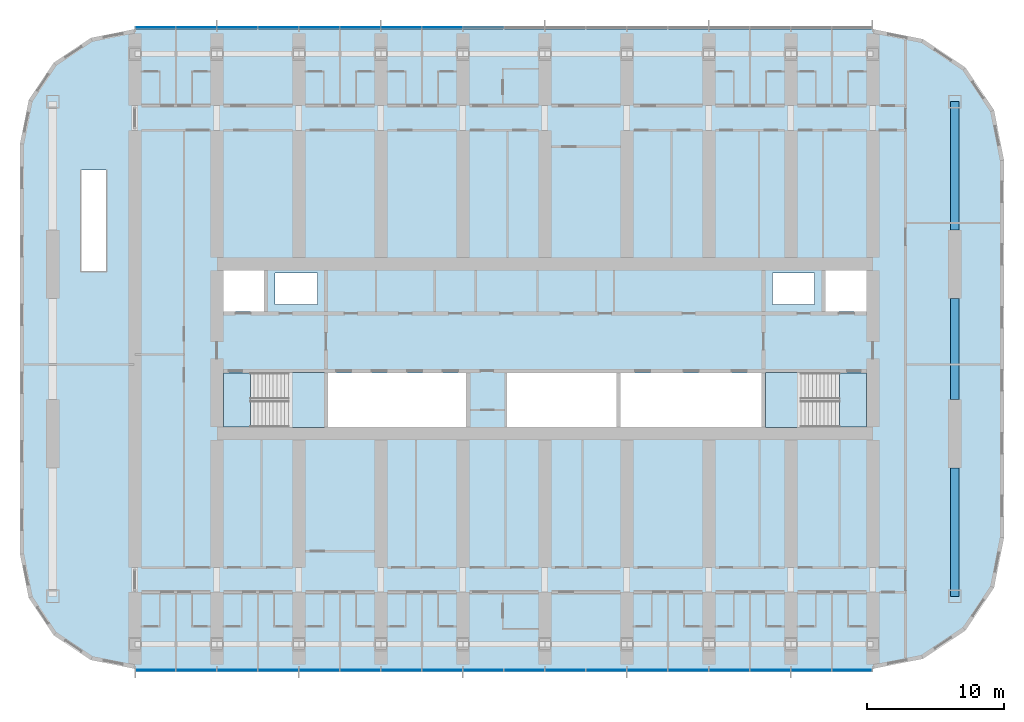
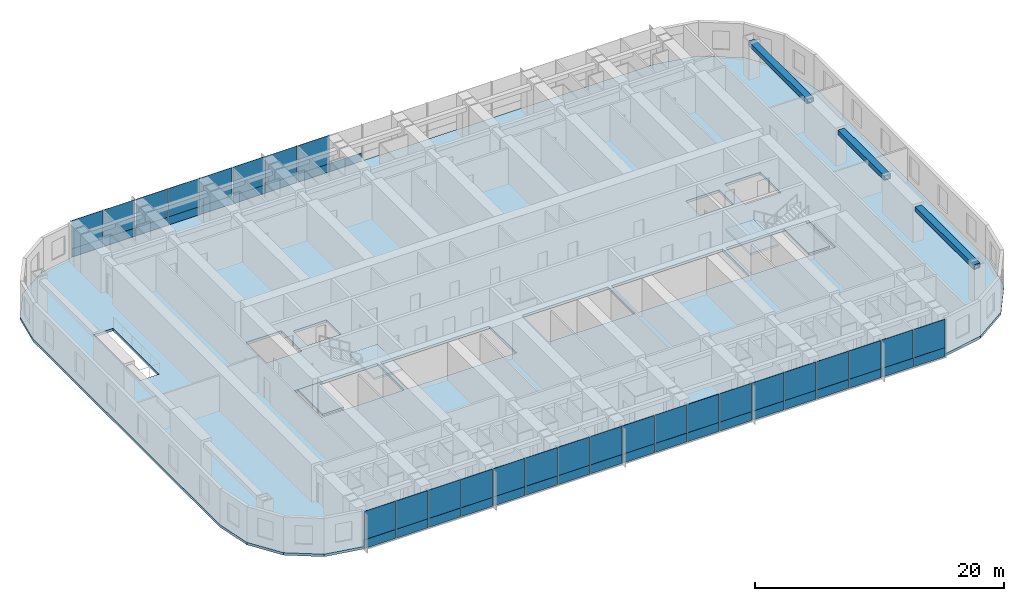
# One storey, part 6 of 21: 53 plates, 5 slabs, 3 beams, 4 elements without a shape of their own.
"""IFC4 building model written with IfcOpenShell, lengths in metres."""

from ifc_helpers import new_model, si_unit, direction, frame, origin, origin_2d, place, context, subcontext, project, spatial, polyline, rectangle, hollow_rectangle, outline, extrude, material, layer, layer_set, material_profile, profile_set, type_object, element, aggregate, save


model = new_model("IFC4")

# Units and contexts
model_context = context("Model", 3, precision=1e-05, world=origin(), true_north=direction((0.0, 1.0)))
body_context = subcontext(model_context, "Body", "Model", "MODEL_VIEW")
ifc_project = project(units=[si_unit("LENGTHUNIT", "METRE"), si_unit("AREAUNIT", "SQUARE_METRE"), si_unit("VOLUMEUNIT", "CUBIC_METRE"), si_unit("PLANEANGLEUNIT", "RADIAN"), si_unit("MASSUNIT", "GRAM", prefix="KILO")], contexts=[model_context])

# Site, building, storey
site_placement = place(None, origin())
site = spatial("IfcSite", under=ifc_project, at=site_placement, CompositionType="ELEMENT")
building_placement = place(site_placement, origin())
building = spatial("IfcBuilding", under=site, at=building_placement, Name="Orbita Commons", CompositionType="ELEMENT")
storey_placement = place(building_placement, frame((0.0, 0.0, 88.14990234375)))
storey = spatial("IfcBuildingStorey", under=building, at=storey_placement, Name="L21", CompositionType="ELEMENT", Elevation=88.14990234375)

# Beams
ifc_material_1 = material(Name="Steel ASTM A572 Gr 50 welded plate", Category="steel")
ifc_material_profile = material_profile(ifc_material_1, hollow_rectangle(XDim=0.60009765625, YDim=0.449951171875, WallThickness=0.06005859375, at=origin_2d()), Name="BOX 450x600x60")
ifc_profile_set = profile_set([ifc_material_profile], Name="Steel ASTM A572 Gr 50 welded plate")
beam_type = type_object("IfcBeamType", Name="Steel end frame link BOX 450x600x60", PredefinedType="BEAM", material=ifc_profile_set)
beam_1_placement = place(storey_placement, frame((72.0, 13.89990234375, 3.275146484375), z_axis=(0.0, 1.0, 0.0), x_axis=(-1.0, 0.0, 0.0)))
element("IfcBeam", 1, at=beam_1_placement, inside=storey, type_object=beam_type, Name="End frame beam 13 B-C L21", PredefinedType="BEAM", context=body_context, shape_type="SweptSolid", body=[
    extrude(hollow_rectangle(XDim=0.60009765625, YDim=0.449951171875, WallThickness=0.06005859375, at=origin_2d()), origin(), (0.0, 0.0, 1.0), 9.400146484375),
])
beam_2_placement = place(storey_placement, frame((72.0, 28.300048828125, 3.275146484375), z_axis=(0.0, 1.0, 0.0), x_axis=(-1.0, 0.0, 0.0)))
element("IfcBeam", 2, at=beam_2_placement, inside=storey, type_object=beam_type, Name="End frame beam 13 C-D L21", PredefinedType="BEAM", context=body_context, shape_type="SweptSolid", body=[
    extrude(hollow_rectangle(XDim=0.60009765625, YDim=0.449951171875, WallThickness=0.06005859375, at=origin_2d()), origin(), (0.0, 0.0, 1.0), 7.39990234375),
])
beam_3_placement = place(storey_placement, frame((72.0, 40.699951171875, 3.275146484375), z_axis=(0.0, 1.0, 0.0), x_axis=(-1.0, 0.0, 0.0)))
element("IfcBeam", 3, at=beam_3_placement, inside=storey, type_object=beam_type, Name="End frame beam 13 D-E L21", PredefinedType="BEAM", context=body_context, shape_type="SweptSolid", body=[
    extrude(hollow_rectangle(XDim=0.60009765625, YDim=0.449951171875, WallThickness=0.06005859375, at=origin_2d()), origin(), (0.0, 0.0, 1.0), 9.400146484375),
])

# Slab
ifc_material_2 = material(Name="Concrete C40/50", Category="concrete")
ifc_layer_1 = layer(ifc_material_2, 0.25)
ifc_layer_set_1 = layer_set([ifc_layer_1], Name="Concrete C40/50")
slab_type_1 = type_object("IfcSlabType", Name="Floor slab 250", PredefinedType="FLOOR", material=ifc_layer_set_1)
slab_1_placement = place(storey_placement, frame((0.0, 0.0, -0.25)))
element("IfcSlab", 4, at=slab_1_placement, inside=storey, type_object=slab_type_1, Name="Floor slab L21", PredefinedType="FLOOR", context=body_context, shape_type="SweptSolid", body=[
    extrude(outline(polyline([(66.0, 8.60009765625), (69.673828125, 9.330810546875), (72.788330078125, 11.411865234375), (74.869140625, 14.526123046875), (75.60009765625, 18.199951171875), (75.60009765625, 45.800048828125), (74.869140625, 49.473876953125), (72.788330078125, 52.588134765625), (69.673828125, 54.669189453125), (66.0, 55.39990234375), (12.0, 55.39990234375), (8.785400390625, 54.760498046875), (6.060302734375, 52.939697265625), (4.239501953125, 50.214599609375), (3.60009765625, 47.0), (3.60009765625, 17.0), (4.239501953125, 13.785400390625), (6.060302734375, 11.060302734375), (8.785400390625, 9.239501953125), (12.0, 8.60009765625), (66.0, 8.60009765625)]), holes=[polyline([(18.14990234375, 25.949951171875), (25.85009765625, 25.949951171875), (25.85009765625, 30.25), (18.14990234375, 30.25), (18.14990234375, 25.949951171875)]), polyline([(58.14990234375, 25.949951171875), (65.85009765625, 25.949951171875), (65.85009765625, 30.25), (58.14990234375, 30.25), (58.14990234375, 25.949951171875)]), polyline([(18.14990234375, 34.75), (21.449951171875, 34.75), (21.449951171875, 38.050048828125), (18.14990234375, 38.050048828125), (18.14990234375, 34.75)]), polyline([(62.550048828125, 34.75), (65.85009765625, 34.75), (65.85009765625, 38.050048828125), (62.550048828125, 38.050048828125), (62.550048828125, 34.75)]), polyline([(22.25, 35.25), (25.35009765625, 35.25), (25.35009765625, 37.550048828125), (22.25, 37.550048828125), (22.25, 35.25)]), polyline([(58.64990234375, 35.25), (61.75, 35.25), (61.75, 37.550048828125), (58.64990234375, 37.550048828125), (58.64990234375, 35.25)]), polyline([(26.14990234375, 25.949951171875), (36.25, 25.949951171875), (36.25, 30.25), (26.14990234375, 30.25), (26.14990234375, 25.949951171875)]), polyline([(39.25, 25.949951171875), (47.25, 25.949951171875), (47.25, 30.25), (39.25, 30.25), (39.25, 25.949951171875)]), polyline([(47.550048828125, 25.949951171875), (57.85009765625, 25.949951171875), (57.85009765625, 30.25), (47.550048828125, 30.25), (47.550048828125, 25.949951171875)]), polyline([(8.10009765625, 37.699951171875), (9.89990234375, 37.699951171875), (9.89990234375, 45.10009765625), (8.10009765625, 45.10009765625), (8.10009765625, 37.699951171875)])]), origin(), (0.0, 0.0, 1.0), 0.25),
])

# Curtain wall, plates
ifc_material_3 = material(Name="Anodised aluminium frame, pale silver", Category="aluminium")
curtain_wall_type = type_object("IfcCurtainWallType", Name="Unitised curtain wall CW-T, vision and spandrel", PredefinedType="NOTDEFINED", material=ifc_material_3)
curtain_wall_1_placement = place(storey_placement, origin())
curtain_wall_1 = element("IfcCurtainWall", 5, at=curtain_wall_1_placement, inside=storey, type_object=curtain_wall_type, Name="Curtain wall south L21", PredefinedType="NOTDEFINED")
ifc_material_4 = material(Name="Anodised aluminium sheet on mineral wool", Category="aluminium")
ifc_layer_2 = layer(ifc_material_4, 0.050048828125)
ifc_layer_set_2 = layer_set([ifc_layer_2], Name="Anodised aluminium sheet on mineral wool")
plate_type_1 = type_object("IfcPlateType", Name="Spandrel panel, pale aluminium over insulation 50", PredefinedType="CURTAIN_PANEL", material=ifc_layer_set_2)
plate_1_placement = place(storey_placement, frame((13.52001953125, 8.489990234375, -0.14990234375), z_axis=(0.0, 0.0, 1.0), x_axis=(1.0, 0.0, 0.0)))
plate_1 = element("IfcPlate", 6, at=plate_1_placement, type_object=plate_type_1, Name="Panel 1.1 CW-L21-S", PredefinedType="CURTAIN_PANEL", context=body_context, shape_type="SweptSolid", body=[
    extrude(rectangle(XDim=2.8798828125, YDim=0.050048828125, at=origin_2d()), origin(), (0.0, 0.0, 1.0), 0.875),
])
plate_2_placement = place(storey_placement, frame((16.5, 8.489990234375, -0.14990234375), z_axis=(0.0, 0.0, 1.0), x_axis=(1.0, 0.0, 0.0)))
plate_2 = element("IfcPlate", 7, at=plate_2_placement, type_object=plate_type_1, Name="Panel 2.1 CW-L21-S", PredefinedType="CURTAIN_PANEL", context=body_context, shape_type="SweptSolid", body=[
    extrude(rectangle(XDim=2.919921875, YDim=0.050048828125, at=origin_2d()), origin(), (0.0, 0.0, 1.0), 0.875),
])
plate_3_placement = place(storey_placement, frame((19.5, 8.489990234375, -0.14990234375), z_axis=(0.0, 0.0, 1.0), x_axis=(1.0, 0.0, 0.0)))
plate_3 = element("IfcPlate", 8, at=plate_3_placement, type_object=plate_type_1, Name="Panel 3.1 CW-L21-S", PredefinedType="CURTAIN_PANEL", context=body_context, shape_type="SweptSolid", body=[
    extrude(rectangle(XDim=2.919921875, YDim=0.050048828125, at=origin_2d()), origin(), (0.0, 0.0, 1.0), 0.875),
])
plate_4_placement = place(storey_placement, frame((22.5, 8.489990234375, -0.14990234375), z_axis=(0.0, 0.0, 1.0), x_axis=(1.0, 0.0, 0.0)))
plate_4 = element("IfcPlate", 9, at=plate_4_placement, type_object=plate_type_1, Name="Panel 4.1 CW-L21-S", PredefinedType="CURTAIN_PANEL", context=body_context, shape_type="SweptSolid", body=[
    extrude(rectangle(XDim=2.919921875, YDim=0.050048828125, at=origin_2d()), origin(), (0.0, 0.0, 1.0), 0.875),
])
plate_5_placement = place(storey_placement, frame((25.5, 8.489990234375, -0.14990234375), z_axis=(0.0, 0.0, 1.0), x_axis=(1.0, 0.0, 0.0)))
plate_5 = element("IfcPlate", 10, at=plate_5_placement, type_object=plate_type_1, Name="Panel 5.1 CW-L21-S", PredefinedType="CURTAIN_PANEL", context=body_context, shape_type="SweptSolid", body=[
    extrude(rectangle(XDim=2.919921875, YDim=0.050048828125, at=origin_2d()), origin(), (0.0, 0.0, 1.0), 0.875),
])
plate_6_placement = place(storey_placement, frame((28.5, 8.489990234375, -0.14990234375), z_axis=(0.0, 0.0, 1.0), x_axis=(1.0, 0.0, 0.0)))
plate_6 = element("IfcPlate", 11, at=plate_6_placement, type_object=plate_type_1, Name="Panel 6.1 CW-L21-S", PredefinedType="CURTAIN_PANEL", context=body_context, shape_type="SweptSolid", body=[
    extrude(rectangle(XDim=2.919921875, YDim=0.050048828125, at=origin_2d()), origin(), (0.0, 0.0, 1.0), 0.875),
])
plate_7_placement = place(storey_placement, frame((31.5, 8.489990234375, -0.14990234375), z_axis=(0.0, 0.0, 1.0), x_axis=(1.0, 0.0, 0.0)))
plate_7 = element("IfcPlate", 12, at=plate_7_placement, type_object=plate_type_1, Name="Panel 7.1 CW-L21-S", PredefinedType="CURTAIN_PANEL", context=body_context, shape_type="SweptSolid", body=[
    extrude(rectangle(XDim=2.919921875, YDim=0.050048828125, at=origin_2d()), origin(), (0.0, 0.0, 1.0), 0.875),
])
plate_8_placement = place(storey_placement, frame((34.5, 8.489990234375, -0.14990234375), z_axis=(0.0, 0.0, 1.0), x_axis=(1.0, 0.0, 0.0)))
plate_8 = element("IfcPlate", 13, at=plate_8_placement, type_object=plate_type_1, Name="Panel 8.1 CW-L21-S", PredefinedType="CURTAIN_PANEL", context=body_context, shape_type="SweptSolid", body=[
    extrude(rectangle(XDim=2.919921875, YDim=0.050048828125, at=origin_2d()), origin(), (0.0, 0.0, 1.0), 0.875),
])
plate_9_placement = place(storey_placement, frame((37.5, 8.489990234375, -0.14990234375), z_axis=(0.0, 0.0, 1.0), x_axis=(1.0, 0.0, 0.0)))
plate_9 = element("IfcPlate", 14, at=plate_9_placement, type_object=plate_type_1, Name="Panel 9.1 CW-L21-S", PredefinedType="CURTAIN_PANEL", context=body_context, shape_type="SweptSolid", body=[
    extrude(rectangle(XDim=2.919921875, YDim=0.050048828125, at=origin_2d()), origin(), (0.0, 0.0, 1.0), 0.875),
])
plate_10_placement = place(storey_placement, frame((40.5, 8.489990234375, -0.14990234375), z_axis=(0.0, 0.0, 1.0), x_axis=(1.0, 0.0, 0.0)))
plate_10 = element("IfcPlate", 15, at=plate_10_placement, type_object=plate_type_1, Name="Panel 10.1 CW-L21-S", PredefinedType="CURTAIN_PANEL", context=body_context, shape_type="SweptSolid", body=[
    extrude(rectangle(XDim=2.919921875, YDim=0.050048828125, at=origin_2d()), origin(), (0.0, 0.0, 1.0), 0.875),
])
plate_11_placement = place(storey_placement, frame((43.5, 8.489990234375, -0.14990234375), z_axis=(0.0, 0.0, 1.0), x_axis=(1.0, 0.0, 0.0)))
plate_11 = element("IfcPlate", 16, at=plate_11_placement, type_object=plate_type_1, Name="Panel 11.1 CW-L21-S", PredefinedType="CURTAIN_PANEL", context=body_context, shape_type="SweptSolid", body=[
    extrude(rectangle(XDim=2.919921875, YDim=0.050048828125, at=origin_2d()), origin(), (0.0, 0.0, 1.0), 0.875),
])
plate_12_placement = place(storey_placement, frame((46.5, 8.489990234375, -0.14990234375), z_axis=(0.0, 0.0, 1.0), x_axis=(1.0, 0.0, 0.0)))
plate_12 = element("IfcPlate", 17, at=plate_12_placement, type_object=plate_type_1, Name="Panel 12.1 CW-L21-S", PredefinedType="CURTAIN_PANEL", context=body_context, shape_type="SweptSolid", body=[
    extrude(rectangle(XDim=2.919921875, YDim=0.050048828125, at=origin_2d()), origin(), (0.0, 0.0, 1.0), 0.875),
])
plate_13_placement = place(storey_placement, frame((49.5, 8.489990234375, -0.14990234375), z_axis=(0.0, 0.0, 1.0), x_axis=(1.0, 0.0, 0.0)))
plate_13 = element("IfcPlate", 18, at=plate_13_placement, type_object=plate_type_1, Name="Panel 13.1 CW-L21-S", PredefinedType="CURTAIN_PANEL", context=body_context, shape_type="SweptSolid", body=[
    extrude(rectangle(XDim=2.919921875, YDim=0.050048828125, at=origin_2d()), origin(), (0.0, 0.0, 1.0), 0.875),
])
plate_14_placement = place(storey_placement, frame((52.5, 8.489990234375, -0.14990234375), z_axis=(0.0, 0.0, 1.0), x_axis=(1.0, 0.0, 0.0)))
plate_14 = element("IfcPlate", 19, at=plate_14_placement, type_object=plate_type_1, Name="Panel 14.1 CW-L21-S", PredefinedType="CURTAIN_PANEL", context=body_context, shape_type="SweptSolid", body=[
    extrude(rectangle(XDim=2.919921875, YDim=0.050048828125, at=origin_2d()), origin(), (0.0, 0.0, 1.0), 0.875),
])
plate_15_placement = place(storey_placement, frame((55.5, 8.489990234375, -0.14990234375), z_axis=(0.0, 0.0, 1.0), x_axis=(1.0, 0.0, 0.0)))
plate_15 = element("IfcPlate", 20, at=plate_15_placement, type_object=plate_type_1, Name="Panel 15.1 CW-L21-S", PredefinedType="CURTAIN_PANEL", context=body_context, shape_type="SweptSolid", body=[
    extrude(rectangle(XDim=2.919921875, YDim=0.050048828125, at=origin_2d()), origin(), (0.0, 0.0, 1.0), 0.875),
])
plate_16_placement = place(storey_placement, frame((58.5, 8.489990234375, -0.14990234375), z_axis=(0.0, 0.0, 1.0), x_axis=(1.0, 0.0, 0.0)))
plate_16 = element("IfcPlate", 21, at=plate_16_placement, type_object=plate_type_1, Name="Panel 16.1 CW-L21-S", PredefinedType="CURTAIN_PANEL", context=body_context, shape_type="SweptSolid", body=[
    extrude(rectangle(XDim=2.919921875, YDim=0.050048828125, at=origin_2d()), origin(), (0.0, 0.0, 1.0), 0.875),
])
plate_17_placement = place(storey_placement, frame((61.5, 8.489990234375, -0.14990234375), z_axis=(0.0, 0.0, 1.0), x_axis=(1.0, 0.0, 0.0)))
plate_17 = element("IfcPlate", 22, at=plate_17_placement, type_object=plate_type_1, Name="Panel 17.1 CW-L21-S", PredefinedType="CURTAIN_PANEL", context=body_context, shape_type="SweptSolid", body=[
    extrude(rectangle(XDim=2.919921875, YDim=0.050048828125, at=origin_2d()), origin(), (0.0, 0.0, 1.0), 0.875),
])
plate_18_placement = place(storey_placement, frame((64.47998046875, 8.489990234375, -0.14990234375), z_axis=(0.0, 0.0, 1.0), x_axis=(1.0, 0.0, 0.0)))
plate_18 = element("IfcPlate", 23, at=plate_18_placement, type_object=plate_type_1, Name="Panel 18.1 CW-L21-S", PredefinedType="CURTAIN_PANEL", context=body_context, shape_type="SweptSolid", body=[
    extrude(rectangle(XDim=2.8798828125, YDim=0.050048828125, at=origin_2d()), origin(), (0.0, 0.0, 1.0), 0.875),
])

curtain_wall_2_placement = place(storey_placement, origin())
curtain_wall_2 = element("IfcCurtainWall", 24, at=curtain_wall_2_placement, inside=storey, type_object=curtain_wall_type, Name="Curtain wall north L21", PredefinedType="NOTDEFINED")
plate_19_placement = place(storey_placement, frame((37.5, 55.510009765625, -0.14990234375), z_axis=(0.0, 0.0, 1.0), x_axis=(-1.0, 0.0, 0.0)))
plate_19 = element("IfcPlate", 25, at=plate_19_placement, type_object=plate_type_1, Name="Panel 10.1 CW-L21-N", PredefinedType="CURTAIN_PANEL", context=body_context, shape_type="SweptSolid", body=[
    extrude(rectangle(XDim=2.919921875, YDim=0.050048828125, at=origin_2d()), origin(), (0.0, 0.0, 1.0), 0.875),
])
plate_20_placement = place(storey_placement, frame((34.5, 55.510009765625, -0.14990234375), z_axis=(0.0, 0.0, 1.0), x_axis=(-1.0, 0.0, 0.0)))
plate_20 = element("IfcPlate", 26, at=plate_20_placement, type_object=plate_type_1, Name="Panel 11.1 CW-L21-N", PredefinedType="CURTAIN_PANEL", context=body_context, shape_type="SweptSolid", body=[
    extrude(rectangle(XDim=2.919921875, YDim=0.050048828125, at=origin_2d()), origin(), (0.0, 0.0, 1.0), 0.875),
])
plate_21_placement = place(storey_placement, frame((31.5, 55.510009765625, -0.14990234375), z_axis=(0.0, 0.0, 1.0), x_axis=(-1.0, 0.0, 0.0)))
plate_21 = element("IfcPlate", 27, at=plate_21_placement, type_object=plate_type_1, Name="Panel 12.1 CW-L21-N", PredefinedType="CURTAIN_PANEL", context=body_context, shape_type="SweptSolid", body=[
    extrude(rectangle(XDim=2.919921875, YDim=0.050048828125, at=origin_2d()), origin(), (0.0, 0.0, 1.0), 0.875),
])
plate_22_placement = place(storey_placement, frame((28.5, 55.510009765625, -0.14990234375), z_axis=(0.0, 0.0, 1.0), x_axis=(-1.0, 0.0, 0.0)))
plate_22 = element("IfcPlate", 28, at=plate_22_placement, type_object=plate_type_1, Name="Panel 13.1 CW-L21-N", PredefinedType="CURTAIN_PANEL", context=body_context, shape_type="SweptSolid", body=[
    extrude(rectangle(XDim=2.919921875, YDim=0.050048828125, at=origin_2d()), origin(), (0.0, 0.0, 1.0), 0.875),
])
plate_23_placement = place(storey_placement, frame((25.5, 55.510009765625, -0.14990234375), z_axis=(0.0, 0.0, 1.0), x_axis=(-1.0, 0.0, 0.0)))
plate_23 = element("IfcPlate", 29, at=plate_23_placement, type_object=plate_type_1, Name="Panel 14.1 CW-L21-N", PredefinedType="CURTAIN_PANEL", context=body_context, shape_type="SweptSolid", body=[
    extrude(rectangle(XDim=2.919921875, YDim=0.050048828125, at=origin_2d()), origin(), (0.0, 0.0, 1.0), 0.875),
])
plate_24_placement = place(storey_placement, frame((22.5, 55.510009765625, -0.14990234375), z_axis=(0.0, 0.0, 1.0), x_axis=(-1.0, 0.0, 0.0)))
plate_24 = element("IfcPlate", 30, at=plate_24_placement, type_object=plate_type_1, Name="Panel 15.1 CW-L21-N", PredefinedType="CURTAIN_PANEL", context=body_context, shape_type="SweptSolid", body=[
    extrude(rectangle(XDim=2.919921875, YDim=0.050048828125, at=origin_2d()), origin(), (0.0, 0.0, 1.0), 0.875),
])
plate_25_placement = place(storey_placement, frame((19.5, 55.510009765625, -0.14990234375), z_axis=(0.0, 0.0, 1.0), x_axis=(-1.0, 0.0, 0.0)))
plate_25 = element("IfcPlate", 31, at=plate_25_placement, type_object=plate_type_1, Name="Panel 16.1 CW-L21-N", PredefinedType="CURTAIN_PANEL", context=body_context, shape_type="SweptSolid", body=[
    extrude(rectangle(XDim=2.919921875, YDim=0.050048828125, at=origin_2d()), origin(), (0.0, 0.0, 1.0), 0.875),
])
plate_26_placement = place(storey_placement, frame((16.5, 55.510009765625, -0.14990234375), z_axis=(0.0, 0.0, 1.0), x_axis=(-1.0, 0.0, 0.0)))
plate_26 = element("IfcPlate", 32, at=plate_26_placement, type_object=plate_type_1, Name="Panel 17.1 CW-L21-N", PredefinedType="CURTAIN_PANEL", context=body_context, shape_type="SweptSolid", body=[
    extrude(rectangle(XDim=2.919921875, YDim=0.050048828125, at=origin_2d()), origin(), (0.0, 0.0, 1.0), 0.875),
])
plate_27_placement = place(storey_placement, frame((13.52001953125, 55.510009765625, -0.14990234375), z_axis=(0.0, 0.0, 1.0), x_axis=(-1.0, 0.0, 0.0)))
plate_27 = element("IfcPlate", 33, at=plate_27_placement, type_object=plate_type_1, Name="Panel 18.1 CW-L21-N", PredefinedType="CURTAIN_PANEL", context=body_context, shape_type="SweptSolid", body=[
    extrude(rectangle(XDim=2.8798828125, YDim=0.050048828125, at=origin_2d()), origin(), (0.0, 0.0, 1.0), 0.875),
])

# Stair, slabs
ifc_material_5 = material(Name="Precast concrete C40/50", Category="concrete")
stair_type_1 = type_object("IfcStairType", Name="Exit stair S1 2 flights 11 risers 170", PredefinedType="HALF_TURN_STAIR", material=ifc_material_5)
stair_1_placement = place(storey_placement, origin())
stair_1 = element("IfcStair", 34, at=stair_1_placement, inside=storey, type_object=stair_type_1, Name="Exit stair S1 L21", PredefinedType="HALF_TURN_STAIR")
ifc_material_6 = material(Name="Concrete C40/50", Category="concrete")
ifc_layer_3 = layer(ifc_material_6, 0.199951171875)
ifc_layer_set_3 = layer_set([ifc_layer_3], Name="Concrete C40/50")
slab_type_2 = type_object("IfcSlabType", Name="Stair landing 200", PredefinedType="LANDING", material=ifc_layer_set_3)
slab_2_placement = place(storey_placement, frame((0.0, 0.0, -0.199951171875)))
slab_2 = element("IfcSlab", 35, at=slab_2_placement, type_object=slab_type_2, Name="S1 landing 1", PredefinedType="LANDING", context=body_context, shape_type="SweptSolid", body=[
    extrude(outline(polyline([(18.47509765625, 26.27490234375), (20.449951171875, 26.27490234375), (20.449951171875, 30.25), (18.47509765625, 30.25), (18.47509765625, 26.27490234375)])), origin(), (0.0, 0.0, 1.0), 0.199951171875),
])
slab_3_placement = place(storey_placement, frame((0.0, 0.0, 1.675048828125)))
slab_3 = element("IfcSlab", 36, at=slab_3_placement, type_object=slab_type_2, Name="S1 landing 2", PredefinedType="LANDING", context=body_context, shape_type="SweptSolid", body=[
    extrude(outline(polyline([(23.25, 26.260009765625), (25.864990234375, 26.260009765625), (25.864990234375, 30.264892578125), (23.25, 30.264892578125), (23.25, 26.260009765625)])), origin(), (0.0, 0.0, 1.0), 0.199951171875),
])
aggregate(stair_1, [slab_2, slab_3])

ifc_material_7 = material(Name="Precast concrete C40/50", Category="concrete")
stair_type_2 = type_object("IfcStairType", Name="Exit stair S2 2 flights 11 risers 170", PredefinedType="HALF_TURN_STAIR", material=ifc_material_7)
stair_2_placement = place(storey_placement, origin())
stair_2 = element("IfcStair", 37, at=stair_2_placement, inside=storey, type_object=stair_type_2, Name="Exit stair S2 L21", PredefinedType="HALF_TURN_STAIR")
slab_4_placement = place(storey_placement, frame((0.0, 0.0, -0.199951171875)))
slab_4 = element("IfcSlab", 38, at=slab_4_placement, type_object=slab_type_2, Name="S2 landing 1", PredefinedType="LANDING", context=body_context, shape_type="SweptSolid", body=[
    extrude(outline(polyline([(63.550048828125, 26.27490234375), (65.52490234375, 26.27490234375), (65.52490234375, 30.25), (63.550048828125, 30.25), (63.550048828125, 26.27490234375)])), origin(), (0.0, 0.0, 1.0), 0.199951171875),
])
slab_5_placement = place(storey_placement, frame((0.0, 0.0, 1.675048828125)))
slab_5 = element("IfcSlab", 39, at=slab_5_placement, type_object=slab_type_2, Name="S2 landing 2", PredefinedType="LANDING", context=body_context, shape_type="SweptSolid", body=[
    extrude(outline(polyline([(58.135009765625, 26.260009765625), (60.75, 26.260009765625), (60.75, 30.264892578125), (58.135009765625, 30.264892578125), (58.135009765625, 26.260009765625)])), origin(), (0.0, 0.0, 1.0), 0.199951171875),
])
aggregate(stair_2, [slab_4, slab_5])

# Plate
ifc_material_8 = material(Name="Clear double glazing", Category="glass")
ifc_layer_4 = layer(ifc_material_8, 0.031982421875)
ifc_layer_set_4 = layer_set([ifc_layer_4], Name="Clear double glazing")
plate_type_2 = type_object("IfcPlateType", Name="Vision panel, clear double glazing 32", PredefinedType="CURTAIN_PANEL", material=ifc_layer_set_4)
plate_28_placement = place(storey_placement, frame((13.52001953125, 8.489990234375, 0.72509765625), z_axis=(0.0, 0.0, 1.0), x_axis=(1.0, 0.0, 0.0)))
plate_28 = element("IfcPlate", 40, at=plate_28_placement, type_object=plate_type_2, Name="Panel 1.2 CW-L21-S", PredefinedType="CURTAIN_PANEL", context=body_context, shape_type="SweptSolid", body=[
    extrude(rectangle(XDim=2.8798828125, YDim=0.031982421875, at=origin_2d()), origin(), (0.0, 0.0, 1.0), 2.77490234375),
])

plate_29_placement = place(storey_placement, frame((16.5, 8.489990234375, 0.72509765625), z_axis=(0.0, 0.0, 1.0), x_axis=(1.0, 0.0, 0.0)))
plate_29 = element("IfcPlate", 41, at=plate_29_placement, type_object=plate_type_2, Name="Panel 2.2 CW-L21-S", PredefinedType="CURTAIN_PANEL", context=body_context, shape_type="SweptSolid", body=[
    extrude(rectangle(XDim=2.919921875, YDim=0.031982421875, at=origin_2d()), origin(), (0.0, 0.0, 1.0), 2.77490234375),
])

plate_30_placement = place(storey_placement, frame((19.5, 8.489990234375, 0.72509765625), z_axis=(0.0, 0.0, 1.0), x_axis=(1.0, 0.0, 0.0)))
plate_30 = element("IfcPlate", 42, at=plate_30_placement, type_object=plate_type_2, Name="Panel 3.2 CW-L21-S", PredefinedType="CURTAIN_PANEL", context=body_context, shape_type="SweptSolid", body=[
    extrude(rectangle(XDim=2.919921875, YDim=0.031982421875, at=origin_2d()), origin(), (0.0, 0.0, 1.0), 2.77490234375),
])

plate_31_placement = place(storey_placement, frame((22.5, 8.489990234375, 0.72509765625), z_axis=(0.0, 0.0, 1.0), x_axis=(1.0, 0.0, 0.0)))
plate_31 = element("IfcPlate", 43, at=plate_31_placement, type_object=plate_type_2, Name="Panel 4.2 CW-L21-S", PredefinedType="CURTAIN_PANEL", context=body_context, shape_type="SweptSolid", body=[
    extrude(rectangle(XDim=2.919921875, YDim=0.031982421875, at=origin_2d()), origin(), (0.0, 0.0, 1.0), 2.77490234375),
])

plate_32_placement = place(storey_placement, frame((25.5, 8.489990234375, 0.72509765625), z_axis=(0.0, 0.0, 1.0), x_axis=(1.0, 0.0, 0.0)))
plate_32 = element("IfcPlate", 44, at=plate_32_placement, type_object=plate_type_2, Name="Panel 5.2 CW-L21-S", PredefinedType="CURTAIN_PANEL", context=body_context, shape_type="SweptSolid", body=[
    extrude(rectangle(XDim=2.919921875, YDim=0.031982421875, at=origin_2d()), origin(), (0.0, 0.0, 1.0), 2.77490234375),
])

plate_33_placement = place(storey_placement, frame((28.5, 8.489990234375, 0.72509765625), z_axis=(0.0, 0.0, 1.0), x_axis=(1.0, 0.0, 0.0)))
plate_33 = element("IfcPlate", 45, at=plate_33_placement, type_object=plate_type_2, Name="Panel 6.2 CW-L21-S", PredefinedType="CURTAIN_PANEL", context=body_context, shape_type="SweptSolid", body=[
    extrude(rectangle(XDim=2.919921875, YDim=0.031982421875, at=origin_2d()), origin(), (0.0, 0.0, 1.0), 2.77490234375),
])

plate_34_placement = place(storey_placement, frame((31.5, 8.489990234375, 0.72509765625), z_axis=(0.0, 0.0, 1.0), x_axis=(1.0, 0.0, 0.0)))
plate_34 = element("IfcPlate", 46, at=plate_34_placement, type_object=plate_type_2, Name="Panel 7.2 CW-L21-S", PredefinedType="CURTAIN_PANEL", context=body_context, shape_type="SweptSolid", body=[
    extrude(rectangle(XDim=2.919921875, YDim=0.031982421875, at=origin_2d()), origin(), (0.0, 0.0, 1.0), 2.77490234375),
])

plate_35_placement = place(storey_placement, frame((34.5, 8.489990234375, 0.72509765625), z_axis=(0.0, 0.0, 1.0), x_axis=(1.0, 0.0, 0.0)))
plate_35 = element("IfcPlate", 47, at=plate_35_placement, type_object=plate_type_2, Name="Panel 8.2 CW-L21-S", PredefinedType="CURTAIN_PANEL", context=body_context, shape_type="SweptSolid", body=[
    extrude(rectangle(XDim=2.919921875, YDim=0.031982421875, at=origin_2d()), origin(), (0.0, 0.0, 1.0), 2.77490234375),
])

plate_36_placement = place(storey_placement, frame((37.5, 8.489990234375, 0.72509765625), z_axis=(0.0, 0.0, 1.0), x_axis=(1.0, 0.0, 0.0)))
plate_36 = element("IfcPlate", 48, at=plate_36_placement, type_object=plate_type_2, Name="Panel 9.2 CW-L21-S", PredefinedType="CURTAIN_PANEL", context=body_context, shape_type="SweptSolid", body=[
    extrude(rectangle(XDim=2.919921875, YDim=0.031982421875, at=origin_2d()), origin(), (0.0, 0.0, 1.0), 2.77490234375),
])

plate_37_placement = place(storey_placement, frame((40.5, 8.489990234375, 0.72509765625), z_axis=(0.0, 0.0, 1.0), x_axis=(1.0, 0.0, 0.0)))
plate_37 = element("IfcPlate", 49, at=plate_37_placement, type_object=plate_type_2, Name="Panel 10.2 CW-L21-S", PredefinedType="CURTAIN_PANEL", context=body_context, shape_type="SweptSolid", body=[
    extrude(rectangle(XDim=2.919921875, YDim=0.031982421875, at=origin_2d()), origin(), (0.0, 0.0, 1.0), 2.77490234375),
])

plate_38_placement = place(storey_placement, frame((43.5, 8.489990234375, 0.72509765625), z_axis=(0.0, 0.0, 1.0), x_axis=(1.0, 0.0, 0.0)))
plate_38 = element("IfcPlate", 50, at=plate_38_placement, type_object=plate_type_2, Name="Panel 11.2 CW-L21-S", PredefinedType="CURTAIN_PANEL", context=body_context, shape_type="SweptSolid", body=[
    extrude(rectangle(XDim=2.919921875, YDim=0.031982421875, at=origin_2d()), origin(), (0.0, 0.0, 1.0), 2.77490234375),
])

plate_39_placement = place(storey_placement, frame((46.5, 8.489990234375, 0.72509765625), z_axis=(0.0, 0.0, 1.0), x_axis=(1.0, 0.0, 0.0)))
plate_39 = element("IfcPlate", 51, at=plate_39_placement, type_object=plate_type_2, Name="Panel 12.2 CW-L21-S", PredefinedType="CURTAIN_PANEL", context=body_context, shape_type="SweptSolid", body=[
    extrude(rectangle(XDim=2.919921875, YDim=0.031982421875, at=origin_2d()), origin(), (0.0, 0.0, 1.0), 2.77490234375),
])

plate_40_placement = place(storey_placement, frame((49.5, 8.489990234375, 0.72509765625), z_axis=(0.0, 0.0, 1.0), x_axis=(1.0, 0.0, 0.0)))
plate_40 = element("IfcPlate", 52, at=plate_40_placement, type_object=plate_type_2, Name="Panel 13.2 CW-L21-S", PredefinedType="CURTAIN_PANEL", context=body_context, shape_type="SweptSolid", body=[
    extrude(rectangle(XDim=2.919921875, YDim=0.031982421875, at=origin_2d()), origin(), (0.0, 0.0, 1.0), 2.77490234375),
])

plate_41_placement = place(storey_placement, frame((52.5, 8.489990234375, 0.72509765625), z_axis=(0.0, 0.0, 1.0), x_axis=(1.0, 0.0, 0.0)))
plate_41 = element("IfcPlate", 53, at=plate_41_placement, type_object=plate_type_2, Name="Panel 14.2 CW-L21-S", PredefinedType="CURTAIN_PANEL", context=body_context, shape_type="SweptSolid", body=[
    extrude(rectangle(XDim=2.919921875, YDim=0.031982421875, at=origin_2d()), origin(), (0.0, 0.0, 1.0), 2.77490234375),
])

plate_42_placement = place(storey_placement, frame((55.5, 8.489990234375, 0.72509765625), z_axis=(0.0, 0.0, 1.0), x_axis=(1.0, 0.0, 0.0)))
plate_42 = element("IfcPlate", 54, at=plate_42_placement, type_object=plate_type_2, Name="Panel 15.2 CW-L21-S", PredefinedType="CURTAIN_PANEL", context=body_context, shape_type="SweptSolid", body=[
    extrude(rectangle(XDim=2.919921875, YDim=0.031982421875, at=origin_2d()), origin(), (0.0, 0.0, 1.0), 2.77490234375),
])

plate_43_placement = place(storey_placement, frame((58.5, 8.489990234375, 0.72509765625), z_axis=(0.0, 0.0, 1.0), x_axis=(1.0, 0.0, 0.0)))
plate_43 = element("IfcPlate", 55, at=plate_43_placement, type_object=plate_type_2, Name="Panel 16.2 CW-L21-S", PredefinedType="CURTAIN_PANEL", context=body_context, shape_type="SweptSolid", body=[
    extrude(rectangle(XDim=2.919921875, YDim=0.031982421875, at=origin_2d()), origin(), (0.0, 0.0, 1.0), 2.77490234375),
])

plate_44_placement = place(storey_placement, frame((61.5, 8.489990234375, 0.72509765625), z_axis=(0.0, 0.0, 1.0), x_axis=(1.0, 0.0, 0.0)))
plate_44 = element("IfcPlate", 56, at=plate_44_placement, type_object=plate_type_2, Name="Panel 17.2 CW-L21-S", PredefinedType="CURTAIN_PANEL", context=body_context, shape_type="SweptSolid", body=[
    extrude(rectangle(XDim=2.919921875, YDim=0.031982421875, at=origin_2d()), origin(), (0.0, 0.0, 1.0), 2.77490234375),
])

plate_45_placement = place(storey_placement, frame((64.47998046875, 8.489990234375, 0.72509765625), z_axis=(0.0, 0.0, 1.0), x_axis=(1.0, 0.0, 0.0)))
plate_45 = element("IfcPlate", 57, at=plate_45_placement, type_object=plate_type_2, Name="Panel 18.2 CW-L21-S", PredefinedType="CURTAIN_PANEL", context=body_context, shape_type="SweptSolid", body=[
    extrude(rectangle(XDim=2.8798828125, YDim=0.031982421875, at=origin_2d()), origin(), (0.0, 0.0, 1.0), 2.77490234375),
])

aggregate(curtain_wall_1, [plate_1, plate_28, plate_2, plate_29, plate_3, plate_30, plate_4, plate_31, plate_5, plate_32, plate_6, plate_33, plate_7, plate_34, plate_8, plate_35, plate_9, plate_36, plate_10, plate_37, plate_11, plate_38, plate_12, plate_39, plate_13, plate_40, plate_14, plate_41, plate_15, plate_42, plate_16, plate_43, plate_17, plate_44, plate_18, plate_45])

plate_46_placement = place(storey_placement, frame((34.5, 55.510009765625, 0.72509765625), z_axis=(0.0, 0.0, 1.0), x_axis=(-1.0, 0.0, 0.0)))
plate_46 = element("IfcPlate", 58, at=plate_46_placement, type_object=plate_type_2, Name="Panel 11.2 CW-L21-N", PredefinedType="CURTAIN_PANEL", context=body_context, shape_type="SweptSolid", body=[
    extrude(rectangle(XDim=2.919921875, YDim=0.031982421875, at=origin_2d()), origin(), (0.0, 0.0, 1.0), 2.77490234375),
])

plate_47_placement = place(storey_placement, frame((31.5, 55.510009765625, 0.72509765625), z_axis=(0.0, 0.0, 1.0), x_axis=(-1.0, 0.0, 0.0)))
plate_47 = element("IfcPlate", 59, at=plate_47_placement, type_object=plate_type_2, Name="Panel 12.2 CW-L21-N", PredefinedType="CURTAIN_PANEL", context=body_context, shape_type="SweptSolid", body=[
    extrude(rectangle(XDim=2.919921875, YDim=0.031982421875, at=origin_2d()), origin(), (0.0, 0.0, 1.0), 2.77490234375),
])

plate_48_placement = place(storey_placement, frame((28.5, 55.510009765625, 0.72509765625), z_axis=(0.0, 0.0, 1.0), x_axis=(-1.0, 0.0, 0.0)))
plate_48 = element("IfcPlate", 60, at=plate_48_placement, type_object=plate_type_2, Name="Panel 13.2 CW-L21-N", PredefinedType="CURTAIN_PANEL", context=body_context, shape_type="SweptSolid", body=[
    extrude(rectangle(XDim=2.919921875, YDim=0.031982421875, at=origin_2d()), origin(), (0.0, 0.0, 1.0), 2.77490234375),
])

plate_49_placement = place(storey_placement, frame((25.5, 55.510009765625, 0.72509765625), z_axis=(0.0, 0.0, 1.0), x_axis=(-1.0, 0.0, 0.0)))
plate_49 = element("IfcPlate", 61, at=plate_49_placement, type_object=plate_type_2, Name="Panel 14.2 CW-L21-N", PredefinedType="CURTAIN_PANEL", context=body_context, shape_type="SweptSolid", body=[
    extrude(rectangle(XDim=2.919921875, YDim=0.031982421875, at=origin_2d()), origin(), (0.0, 0.0, 1.0), 2.77490234375),
])

plate_50_placement = place(storey_placement, frame((22.5, 55.510009765625, 0.72509765625), z_axis=(0.0, 0.0, 1.0), x_axis=(-1.0, 0.0, 0.0)))
plate_50 = element("IfcPlate", 62, at=plate_50_placement, type_object=plate_type_2, Name="Panel 15.2 CW-L21-N", PredefinedType="CURTAIN_PANEL", context=body_context, shape_type="SweptSolid", body=[
    extrude(rectangle(XDim=2.919921875, YDim=0.031982421875, at=origin_2d()), origin(), (0.0, 0.0, 1.0), 2.77490234375),
])

plate_51_placement = place(storey_placement, frame((19.5, 55.510009765625, 0.72509765625), z_axis=(0.0, 0.0, 1.0), x_axis=(-1.0, 0.0, 0.0)))
plate_51 = element("IfcPlate", 63, at=plate_51_placement, type_object=plate_type_2, Name="Panel 16.2 CW-L21-N", PredefinedType="CURTAIN_PANEL", context=body_context, shape_type="SweptSolid", body=[
    extrude(rectangle(XDim=2.919921875, YDim=0.031982421875, at=origin_2d()), origin(), (0.0, 0.0, 1.0), 2.77490234375),
])

plate_52_placement = place(storey_placement, frame((16.5, 55.510009765625, 0.72509765625), z_axis=(0.0, 0.0, 1.0), x_axis=(-1.0, 0.0, 0.0)))
plate_52 = element("IfcPlate", 64, at=plate_52_placement, type_object=plate_type_2, Name="Panel 17.2 CW-L21-N", PredefinedType="CURTAIN_PANEL", context=body_context, shape_type="SweptSolid", body=[
    extrude(rectangle(XDim=2.919921875, YDim=0.031982421875, at=origin_2d()), origin(), (0.0, 0.0, 1.0), 2.77490234375),
])

plate_53_placement = place(storey_placement, frame((13.52001953125, 55.510009765625, 0.72509765625), z_axis=(0.0, 0.0, 1.0), x_axis=(-1.0, 0.0, 0.0)))
plate_53 = element("IfcPlate", 65, at=plate_53_placement, type_object=plate_type_2, Name="Panel 18.2 CW-L21-N", PredefinedType="CURTAIN_PANEL", context=body_context, shape_type="SweptSolid", body=[
    extrude(rectangle(XDim=2.8798828125, YDim=0.031982421875, at=origin_2d()), origin(), (0.0, 0.0, 1.0), 2.77490234375),
])

aggregate(curtain_wall_2, [plate_19, plate_20, plate_46, plate_21, plate_47, plate_22, plate_48, plate_23, plate_49, plate_24, plate_50, plate_25, plate_51, plate_26, plate_52, plate_27, plate_53])

save(model, "model.ifc")
